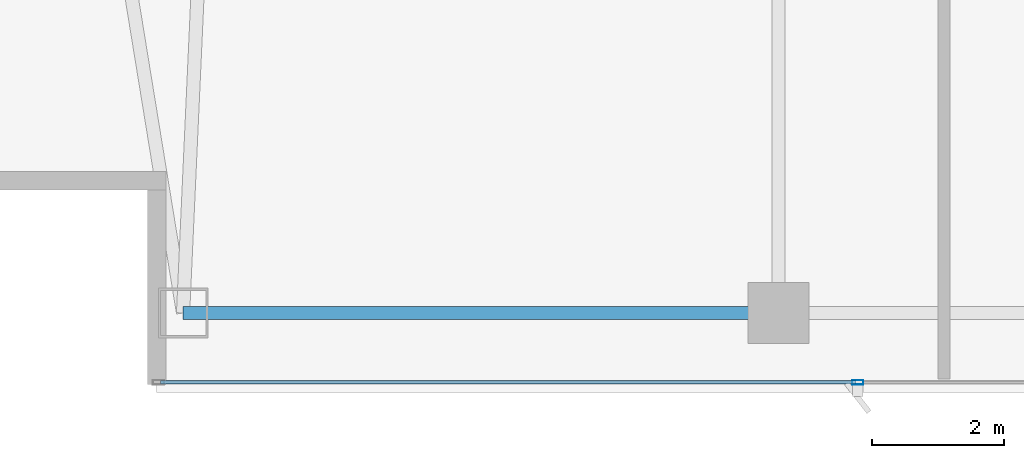
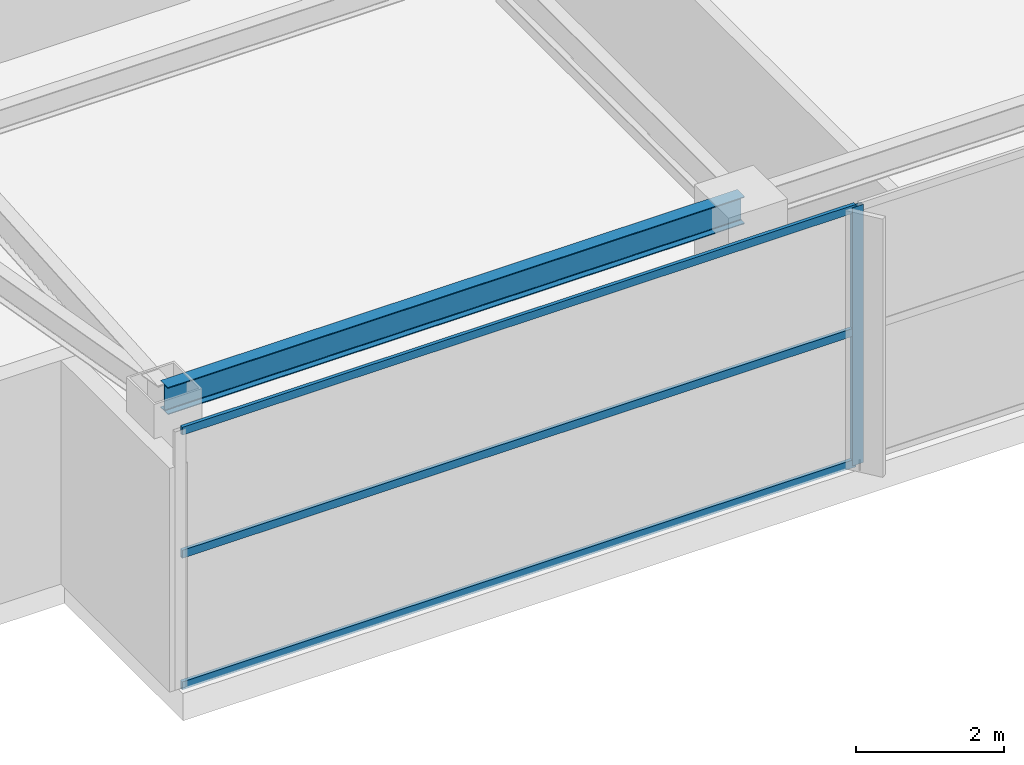
# One storey, part 3 of 25: 4 members, 1 beam, 1 element without a shape of its own.
"""IFC4 building model written with IfcOpenShell, lengths in metres."""

from ifc_helpers import new_model, si_unit, direction, frame, origin, origin_2d, place, context, subcontext, project, spatial, hollow_rectangle, i_section, extrude, material, layer, layer_set, material_profile, profile_set, type_object, element, aggregate, save


model = new_model("IFC4")

# Units and contexts
model_context = context("Model", 3, precision=1e-05, world=origin(), true_north=direction((0.0, 1.0)))
body_context = subcontext(model_context, "Body", "Model", "MODEL_VIEW")
ifc_project = project(units=[si_unit("LENGTHUNIT", "METRE"), si_unit("AREAUNIT", "SQUARE_METRE"), si_unit("VOLUMEUNIT", "CUBIC_METRE"), si_unit("PLANEANGLEUNIT", "RADIAN"), si_unit("MASSUNIT", "GRAM", prefix="KILO")], contexts=[model_context])

# Site, building, storey
site_placement = place(None, origin())
site = spatial("IfcSite", under=ifc_project, at=site_placement, CompositionType="ELEMENT")
building_placement = place(site_placement, origin())
building = spatial("IfcBuilding", under=site, at=building_placement, Name="Calvorn Quay Hotel", CompositionType="ELEMENT")
storey_placement = place(building_placement, frame((0.0, 0.0, 307.0)))
storey = spatial("IfcBuildingStorey", under=building, at=storey_placement, Name="L76", CompositionType="ELEMENT", Elevation=307.0)

# Beam
ifc_material_1 = material(Name="Steel Q355B", Category="steel")
ifc_material_profile_1 = material_profile(ifc_material_1, i_section(OverallWidth=0.199951171875, OverallDepth=0.449951171875, WebThickness=0.009033203125, FlangeThickness=0.013916015625, FilletRadius=0.01611328125, at=origin_2d()), Name="HN450x200x9x14")
ifc_profile_set_1 = profile_set([ifc_material_profile_1], Name="Steel Q355B")
beam_type = type_object("IfcBeamType", Name="BM-SPANDREL-Z3", PredefinedType="SPANDREL", material=ifc_profile_set_1)
beam_placement = place(storey_placement, frame((3.60009765625, 3.60009765625, 4.014892578125), z_axis=(1.0, 0.0, 0.0), x_axis=(0.0, 1.0, 0.0)))
element("IfcBeam", 1, at=beam_placement, inside=storey, type_object=beam_type, Name="Beam BSP-L76-S1", PredefinedType="SPANDREL", context=body_context, shape_type="SweptSolid", body=[
    extrude(i_section(OverallWidth=0.199951171875, OverallDepth=0.449951171875, WebThickness=0.009033203125, FlangeThickness=0.013916015625, FilletRadius=0.01611328125, at=origin_2d()), origin(), (0.0, 0.0, 1.0), 9.0),
])

# Curtain wall, members
ifc_material_2 = material(Name="Champagne Bronze Anodised Aluminium and Low-E Glass", Category="aluminium")
ifc_layer = layer(ifc_material_2, 0.219970703125)
ifc_layer_set = layer_set([ifc_layer], Name="CW-SYS-Z4")
curtain_wall_type = type_object("IfcCurtainWallType", Name="CW-SYS-Z4", PredefinedType="NOTDEFINED", material=ifc_layer_set)
curtain_wall_placement = place(storey_placement, origin())
curtain_wall = element("IfcCurtainWall", 2, at=curtain_wall_placement, inside=storey, type_object=curtain_wall_type, Name="Tower South Waterfront Curtain Wall (L76)", PredefinedType="NOTDEFINED")
ifc_material_3 = material(Name="Champagne Bronze Anodised Aluminium 6063-T6", Category="aluminium")
ifc_material_profile_2 = material_profile(ifc_material_3, hollow_rectangle(XDim=0.06494140625, YDim=0.169921875, WallThickness=0.00341796875, at=origin_2d()), Name="ALU-M170x65x3.5")
ifc_profile_set_2 = profile_set([ifc_material_profile_2], Name="Champagne Bronze Anodised Aluminium 6063-T6")
member_type_1 = type_object("IfcMemberType", Name="CW-SYS-Z4-MUL", PredefinedType="MULLION", material=ifc_profile_set_2)
member_1_placement = place(storey_placement, frame((13.800048828125, 2.550048828125, 0.0), z_axis=(0.0, 0.0, 1.0), x_axis=(0.0, 1.0, 0.0)))
member_1 = element("IfcMember", 3, at=member_1_placement, type_object=member_type_1, Name="CW-L76-S mullion 2", PredefinedType="MULLION", context=body_context, shape_type="SweptSolid", body=[
    extrude(hollow_rectangle(XDim=0.06494140625, YDim=0.169921875, WallThickness=0.00341796875, at=origin_2d()), origin(), (0.0, 0.0, 1.0), 4.260009765625),
])
ifc_material_4 = material(Name="Champagne Bronze Anodised Aluminium 6063-T6", Category="aluminium")
ifc_material_profile_3 = material_profile(ifc_material_4, hollow_rectangle(XDim=0.054931640625, YDim=0.1298828125, WallThickness=0.003173828125, at=origin_2d()), Name="ALU-T130x55x3.2")
ifc_profile_set_3 = profile_set([ifc_material_profile_3], Name="Champagne Bronze Anodised Aluminium 6063-T6")
member_type_2 = type_object("IfcMemberType", Name="CW-SYS-Z4-TRN", PredefinedType="USERDEFINED", material=ifc_profile_set_3)
member_2_placement = place(storey_placement, frame((3.260009765625, 2.550048828125, 0.030029296875), z_axis=(1.0, 0.0, 0.0), x_axis=(0.0, 1.0, 0.0)))
member_2 = element("IfcMember", 4, at=member_2_placement, type_object=member_type_2, Name="CW-L76-S transom 1.1", ObjectType="TRANSOM", PredefinedType="USERDEFINED", context=body_context, shape_type="SweptSolid", body=[
    extrude(hollow_rectangle(XDim=0.054931640625, YDim=0.1298828125, WallThickness=0.003173828125, at=origin_2d()), origin(), (0.0, 0.0, 1.0), 10.510009765625),
])
member_3_placement = place(storey_placement, frame((3.260009765625, 2.550048828125, 2.199951171875), z_axis=(1.0, 0.0, 0.0), x_axis=(0.0, 1.0, 0.0)))
member_3 = element("IfcMember", 5, at=member_3_placement, type_object=member_type_2, Name="CW-L76-S transom 1.2", ObjectType="TRANSOM", PredefinedType="USERDEFINED", context=body_context, shape_type="SweptSolid", body=[
    extrude(hollow_rectangle(XDim=0.054931640625, YDim=0.1298828125, WallThickness=0.003173828125, at=origin_2d()), origin(), (0.0, 0.0, 1.0), 10.510009765625),
])
member_4_placement = place(storey_placement, frame((3.260009765625, 2.550048828125, 4.22998046875), z_axis=(1.0, 0.0, 0.0), x_axis=(0.0, 1.0, 0.0)))
member_4 = element("IfcMember", 6, at=member_4_placement, type_object=member_type_2, Name="CW-L76-S transom 1.3", ObjectType="TRANSOM", PredefinedType="USERDEFINED", context=body_context, shape_type="SweptSolid", body=[
    extrude(hollow_rectangle(XDim=0.054931640625, YDim=0.1298828125, WallThickness=0.003173828125, at=origin_2d()), origin(), (0.0, 0.0, 1.0), 10.510009765625),
])
aggregate(curtain_wall, [member_1, member_2, member_3, member_4])

save(model, "model.ifc")
